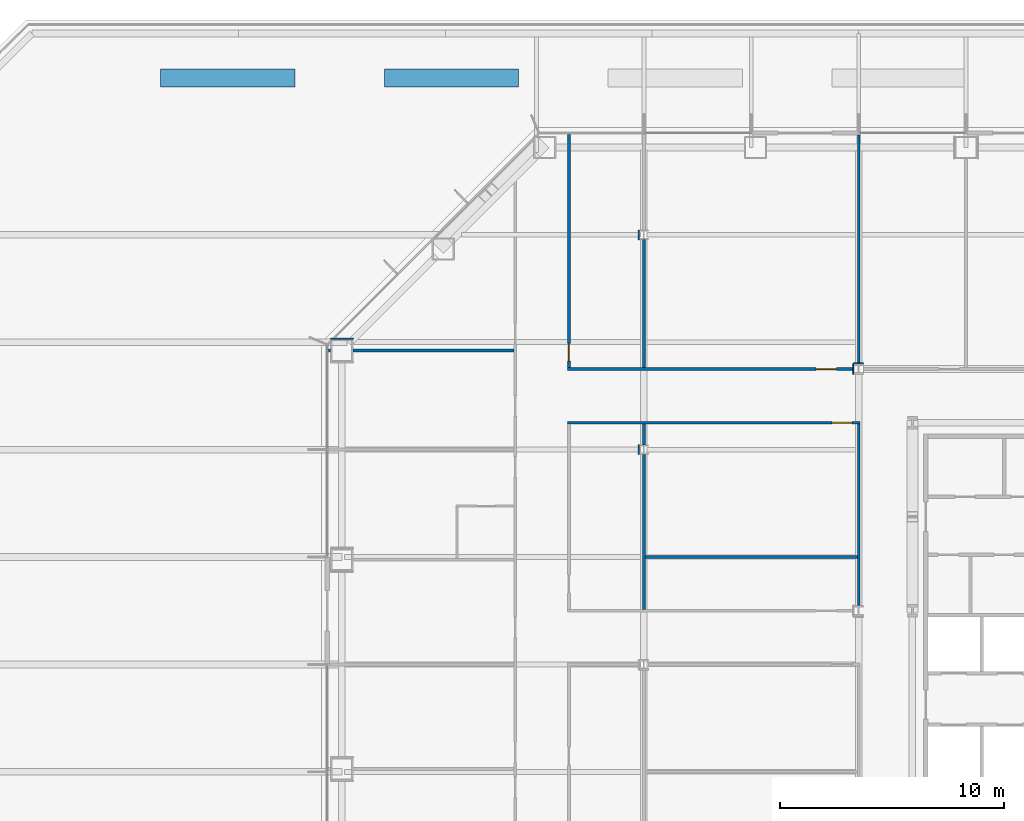
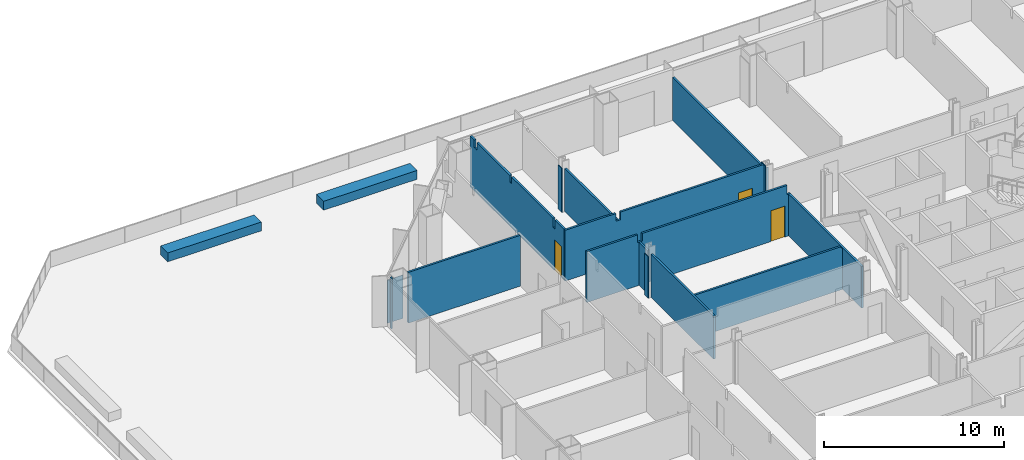
# One storey, part 13 of 18: 18 walls, 3 doors, 3 openings.
"""IFC4 building model written with IfcOpenShell, lengths in metres."""

from ifc_helpers import new_model, si_unit, direction, frame, frame_2d, origin, place, context, subcontext, project, spatial, polyline, rectangle, outline, extrude, material, layer, layer_set, type_object, element, fill, save


model = new_model("IFC4")

# Units and contexts
model_context = context("Model", 3, precision=1e-05, world=origin(), true_north=direction((0.0, 1.0)))
body_context = subcontext(model_context, "Body", "Model", "MODEL_VIEW")
ifc_project = project(units=[si_unit("LENGTHUNIT", "METRE"), si_unit("AREAUNIT", "SQUARE_METRE"), si_unit("VOLUMEUNIT", "CUBIC_METRE"), si_unit("PLANEANGLEUNIT", "RADIAN"), si_unit("MASSUNIT", "GRAM", prefix="KILO")], contexts=[model_context])

# Site, building, storey
site_placement = place(None, origin())
site = spatial("IfcSite", under=ifc_project, at=site_placement, CompositionType="ELEMENT")
building_placement = place(site_placement, origin())
building = spatial("IfcBuilding", under=site, at=building_placement, Name="Cairn Pilgrim Tower", CompositionType="ELEMENT")
storey_placement = place(building_placement, frame((0.0, 0.0, 40.199951171875)))
storey = spatial("IfcBuildingStorey", under=building, at=storey_placement, Name="L07", CompositionType="ELEMENT", Elevation=40.199951171875)

# Walls
ifc_material_1 = material(Name="Gypsum partition")
ifc_layer_1 = layer(ifc_material_1, 0.125)
ifc_layer_set_1 = layer_set([ifc_layer_1], Name="PARTITION 125 DRYWALL EI 60")
wall_type_1 = type_object("IfcWallType", Name="PARTITION 125 DRYWALL EI 60", PredefinedType="PARTITIONING", material=ifc_layer_set_1)
wall_1_placement = place(storey_placement, frame((-14.39990234375, 2.46240234375, 0.0), z_axis=(0.0, 0.0, 1.0), x_axis=(0.0, 1.0, 0.0)))
element("IfcWall", 1, at=wall_1_placement, inside=storey, type_object=wall_type_1, Name="PARTITION W061", PredefinedType="PARTITIONING", context=body_context, shape_type="SweptSolid", body=[
    extrude(rectangle(XDim=6.925048828125, YDim=0.125, at=frame_2d((3.46240234375, 0.0))), origin(), (0.0, 0.0, 1.0), 2.929931640625),
])
wall_2_placement = place(storey_placement, frame((-4.800048828125, 2.636962890625, 0.0), z_axis=(0.0, 0.0, 1.0), x_axis=(0.0, 1.0, 0.0)))
element("IfcWall", 2, at=wall_2_placement, inside=storey, type_object=wall_type_1, Name="PARTITION W062", PredefinedType="PARTITIONING", context=body_context, shape_type="SweptSolid", body=[
    extrude(rectangle(XDim=8.1005859375, YDim=0.125, at=frame_2d((4.05029296875, 0.0))), origin(), (0.0, 0.0, 1.0), 2.830078125),
])
wall_3_placement = place(storey_placement, frame((-14.33740234375, 4.800048828125, 0.0), z_axis=(0.0, 0.0, 1.0), x_axis=(1.0, 0.0, 0.0)))
element("IfcWall", 3, at=wall_3_placement, inside=storey, type_object=wall_type_1, Name="PARTITION W067", PredefinedType="PARTITIONING", context=body_context, shape_type="SweptSolid", body=[
    extrude(outline(polyline([(0.0, 0.0), (9.474853515625, 0.0), (9.47509765625, 2.830078125), (9.387451171875, 2.830078125), (9.385498046875, 2.929931640625), (0.0, 2.929931640625), (0.0, 0.0)])), frame((0.0, 0.0625, 0.0), z_axis=(0.0, -1.0, 0.0), x_axis=(1.0, 0.0, 0.0)), (0.0, 0.0, 1.0), 0.125),
])
wall_4_placement = place(storey_placement, frame((-14.39990234375, 9.8125, 0.0), z_axis=(0.0, 0.0, 1.0), x_axis=(0.0, 1.0, 0.0)))
element("IfcWall", 4, at=wall_4_placement, inside=storey, type_object=wall_type_1, Name="PARTITION W073", PredefinedType="PARTITIONING", context=body_context, shape_type="SweptSolid", body=[
    extrude(rectangle(XDim=0.925048828125, YDim=0.125, at=frame_2d((0.46240234375, 0.0))), origin(), (0.0, 0.0, 1.0), 2.929931640625),
])

# Wall, opening, door
wall_5_placement = place(storey_placement, frame((-17.8125, 10.800048828125, 0.0), z_axis=(0.0, 0.0, 1.0), x_axis=(1.0, 0.0, 0.0)))
wall_5 = element("IfcWall", 5, at=wall_5_placement, inside=storey, type_object=wall_type_1, Name="PARTITION W074", PredefinedType="PARTITIONING", context=body_context, shape_type="SweptSolid", body=[
    extrude(outline(polyline([(0.0, 0.0), (13.074951171875, 0.0), (13.074951171875, 2.830078125), (12.862548828125, 2.830078125), (12.860595703125, 3.449951171875), (3.5625, 3.449951171875), (3.560546875, 2.929931640625), (3.262451171875, 2.929931640625), (3.260498046875, 3.449951171875), (0.0, 3.449951171875), (0.0, 0.0)])), frame((0.0, 0.0625, 0.0), z_axis=(0.0, -1.0, 0.0), x_axis=(1.0, 0.0, 0.0)), (0.0, 0.0, 1.0), 0.125),
])
opening_1_placement = place(wall_5_placement, frame((11.8125, 0.0, 0.0)))
opening_1 = element("IfcOpeningElement", 6, at=opening_1_placement, cuts=wall_5, Name="Opening 0731", PredefinedType="OPENING", context=body_context, shape_type="SweptSolid", body=[
    extrude(rectangle(XDim=0.89990234375, YDim=2.10009765625, at=frame_2d((0.449951171875, 1.050048828125))), frame((0.0, 0.072509765625, 0.0), z_axis=(0.0, -1.0, 0.0), x_axis=(1.0, 0.0, 0.0)), (0.0, 0.0, 1.0), 0.14501953125),
])
ifc_material_2 = material(Name="Steel-faced fire door leaf", Category="steel")
door_type_1 = type_object("IfcDoorType", Name="FIRE DOOR 900x2100 FD30S", OperationType="NOTDEFINED", PredefinedType="DOOR", material=ifc_material_2)
door_1_placement = place(opening_1_placement, frame((0.89990234375, 0.0, 0.0), z_axis=(0.0, 0.0, 1.0), x_axis=(-1.0, 0.0, 0.0)))
door_1 = element("IfcDoor", 7, at=door_1_placement, inside=storey, type_object=door_type_1, Name="DOOR 0731", OperationType="SINGLE_SWING_RIGHT", OverallHeight=2.10009765625, OverallWidth=0.89990234375, PredefinedType="DOOR", context=body_context, shape_type="SweptSolid", body=[
    extrude(rectangle(XDim=0.89990234375, YDim=2.10009765625, at=frame_2d((0.449951171875, 1.050048828125))), frame((0.0, 0.02490234375, 0.0), z_axis=(0.0, -1.0, 0.0), x_axis=(1.0, 0.0, 0.0)), (0.0, 0.0, 1.0), 0.050048828125),
])
fill(opening_1, door_1)

wall_6_placement = place(storey_placement, frame((-17.8125, 13.199951171875, 0.0), z_axis=(0.0, 0.0, 1.0), x_axis=(1.0, 0.0, 0.0)))
wall_6 = element("IfcWall", 8, at=wall_6_placement, inside=storey, type_object=wall_type_1, Name="PARTITION W075", PredefinedType="PARTITIONING", context=body_context, shape_type="SweptSolid", body=[
    extrude(outline(polyline([(0.0, 0.0), (12.800537109375, 0.0), (12.800537109375, 3.449951171875), (3.5625, 3.449951171875), (3.560546875, 2.929931640625), (3.262451171875, 2.929931640625), (3.260498046875, 3.449951171875), (0.0, 3.449951171875), (0.0, 0.0)])), frame((0.0, 0.0625, 0.0), z_axis=(0.0, -1.0, 0.0), x_axis=(1.0, 0.0, 0.0)), (0.0, 0.0, 1.0), 0.125),
])
opening_2_placement = place(wall_6_placement, frame((11.112548828125, 0.0, 0.0)))
opening_2 = element("IfcOpeningElement", 9, at=opening_2_placement, cuts=wall_6, Name="Opening 0716", PredefinedType="OPENING", context=body_context, shape_type="SweptSolid", body=[
    extrude(rectangle(XDim=0.89990234375, YDim=2.10009765625, at=frame_2d((0.449951171875, 1.050048828125))), frame((0.0, 0.072509765625, 0.0), z_axis=(0.0, -1.0, 0.0), x_axis=(1.0, 0.0, 0.0)), (0.0, 0.0, 1.0), 0.14501953125),
])
door_2_placement = place(opening_2_placement, origin())
door_2 = element("IfcDoor", 10, at=door_2_placement, inside=storey, type_object=door_type_1, Name="DOOR 0716", OperationType="SINGLE_SWING_LEFT", OverallHeight=2.10009765625, OverallWidth=0.89990234375, PredefinedType="DOOR", context=body_context, shape_type="SweptSolid", body=[
    extrude(rectangle(XDim=0.89990234375, YDim=2.10009765625, at=frame_2d((0.449951171875, 1.050048828125))), frame((0.0, 0.02490234375, 0.0), z_axis=(0.0, -1.0, 0.0), x_axis=(1.0, 0.0, 0.0)), (0.0, 0.0, 1.0), 0.050048828125),
])
fill(opening_2, door_2)

wall_7_placement = place(storey_placement, frame((-17.75, 13.262451171875, 0.0), z_axis=(0.0, 0.0, 1.0), x_axis=(0.0, 1.0, 0.0)))
wall_7 = element("IfcWall", 11, at=wall_7_placement, inside=storey, type_object=wall_type_1, Name="PARTITION W078", PredefinedType="PARTITIONING", context=body_context, shape_type="SweptSolid", body=[
    extrude(outline(polyline([(0.0, 0.0), (10.427490234375, 0.0), (10.427490234375, 3.449951171875), (9.987548828125, 3.449951171875), (9.985595703125, 2.929931640625), (9.6875, 2.929931640625), (9.685546875, 3.449951171875), (6.032470703125, 3.449951171875), (6.030517578125, 2.97998046875), (5.842529296875, 2.97998046875), (5.840576171875, 3.449951171875), (1.24755859375, 3.449951171875), (1.24560546875, 2.830078125), (1.027587890625, 2.830078125), (1.025390625, 3.449951171875), (0.0, 3.449951171875), (0.0, 0.0)])), frame((0.0, 0.0625, 0.0), z_axis=(0.0, -1.0, 0.0), x_axis=(1.0, 0.0, 0.0)), (0.0, 0.0, 1.0), 0.125),
])
opening_3_placement = place(wall_7_placement, frame((0.28759765625, 0.0, 0.0)))
opening_3 = element("IfcOpeningElement", 12, at=opening_3_placement, cuts=wall_7, Name="Opening 0715", PredefinedType="OPENING", context=body_context, shape_type="SweptSolid", body=[
    extrude(rectangle(XDim=0.800048828125, YDim=2.10009765625, at=frame_2d((0.39990234375, 1.050048828125))), frame((0.0, 0.072509765625, 0.0), z_axis=(0.0, -1.0, 0.0), x_axis=(1.0, 0.0, 0.0)), (0.0, 0.0, 1.0), 0.14501953125),
])
door_type_2 = type_object("IfcDoorType", Name="FIRE DOOR 800x2100 FD30S", OperationType="NOTDEFINED", PredefinedType="DOOR", material=ifc_material_2)
door_3_placement = place(opening_3_placement, frame((0.800048828125, 0.0, 0.0), z_axis=(0.0, 0.0, 1.0), x_axis=(-1.0, 0.0, 0.0)))
door_3 = element("IfcDoor", 13, at=door_3_placement, inside=storey, type_object=door_type_2, Name="DOOR 0715", OperationType="SINGLE_SWING_RIGHT", OverallHeight=2.10009765625, OverallWidth=0.800048828125, PredefinedType="DOOR", context=body_context, shape_type="SweptSolid", body=[
    extrude(rectangle(XDim=0.800048828125, YDim=2.10009765625, at=frame_2d((0.39990234375, 1.050048828125))), frame((0.0, 0.02490234375, 0.0), z_axis=(0.0, -1.0, 0.0), x_axis=(1.0, 0.0, 0.0)), (0.0, 0.0, 1.0), 0.050048828125),
])
fill(opening_3, door_3)

# Walls
wall_8_placement = place(storey_placement, frame((-14.39990234375, 13.262451171875, 0.0), z_axis=(0.0, 0.0, 1.0), x_axis=(0.0, 1.0, 0.0)))
element("IfcWall", 14, at=wall_8_placement, inside=storey, type_object=wall_type_1, Name="PARTITION W079", PredefinedType="PARTITIONING", context=body_context, shape_type="SweptSolid", body=[
    extrude(rectangle(XDim=5.72509765625, YDim=0.125, at=frame_2d((2.862548828125, 0.0))), origin(), (0.0, 0.0, 1.0), 2.929931640625),
])
wall_9_placement = place(storey_placement, frame((-4.800048828125, 13.43701171875, 0.0), z_axis=(0.0, 0.0, 1.0), x_axis=(0.0, 1.0, 0.0)))
element("IfcWall", 15, at=wall_9_placement, inside=storey, type_object=wall_type_1, Name="PARTITION W083", PredefinedType="PARTITIONING", context=body_context, shape_type="SweptSolid", body=[
    extrude(rectangle(XDim=10.212890625, YDim=0.125, at=frame_2d((5.1064453125, 0.0))), origin(), (0.0, 0.0, 1.0), 2.929931640625),
])
wall_10_placement = place(storey_placement, frame((-28.5029296875, 14.027099609375, 0.0), z_axis=(0.0, 0.0, 1.0), x_axis=(1.0, 0.0, 0.0)))
element("IfcWall", 16, at=wall_10_placement, inside=storey, type_object=wall_type_1, Name="PARTITION W085", PredefinedType="PARTITIONING", context=body_context, shape_type="SweptSolid", body=[
    extrude(rectangle(XDim=0.10302734375, YDim=0.125, at=frame_2d((0.051513671875, 0.0))), origin(), (0.0, 0.0, 1.0), 3.449951171875),
])
wall_11_placement = place(storey_placement, frame((-27.39990234375, 14.027099609375, 0.0), z_axis=(0.0, 0.0, 1.0), x_axis=(1.0, 0.0, 0.0)))
element("IfcWall", 17, at=wall_11_placement, inside=storey, type_object=wall_type_1, Name="PARTITION W086", PredefinedType="PARTITIONING", context=body_context, shape_type="SweptSolid", body=[
    extrude(rectangle(XDim=7.1875, YDim=0.125, at=frame_2d((3.59375, 0.0))), origin(), (0.0, 0.0, 1.0), 3.449951171875),
])
ifc_layer_2 = layer(ifc_material_1, 0.050048828125)
ifc_layer_set_2 = layer_set([ifc_layer_2], Name="PARTITION 50 DRYWALL EI 60")
wall_type_2 = type_object("IfcWallType", Name="PARTITION 50 DRYWALL EI 60", PredefinedType="PARTITIONING", material=ifc_layer_set_2)
wall_12_placement = place(storey_placement, frame((-14.62939453125, 9.387451171875, 0.0), z_axis=(0.0, 0.0, 1.0), x_axis=(0.0, 1.0, 0.0)))
element("IfcWall", 18, at=wall_12_placement, inside=storey, type_object=wall_type_2, Name="COLUMN CASING WC25", PredefinedType="PARTITIONING", context=body_context, shape_type="SweptSolid", body=[
    extrude(rectangle(XDim=0.425048828125, YDim=0.050048828125, at=frame_2d((0.21240234375, 0.0))), origin(), (0.0, 0.0, 1.0), 2.830078125),
])
wall_13_placement = place(storey_placement, frame((-5.011962890625, 13.4619140625, 0.0), z_axis=(0.0, 0.0, 1.0), x_axis=(1.0, 0.0, 0.0)))
element("IfcWall", 19, at=wall_13_placement, inside=storey, type_object=wall_type_2, Name="COLUMN CASING WC31", PredefinedType="PARTITIONING", context=body_context, shape_type="SweptSolid", body=[
    extrude(rectangle(XDim=0.424072265625, YDim=0.050048828125, at=frame_2d((0.2119140625, 0.0))), origin(), (0.0, 0.0, 1.0), 2.929931640625),
])
wall_14_placement = place(storey_placement, frame((-14.62939453125, 18.987548828125, 0.0), z_axis=(0.0, 0.0, 1.0), x_axis=(0.0, 1.0, 0.0)))
element("IfcWall", 20, at=wall_14_placement, inside=storey, type_object=wall_type_2, Name="COLUMN CASING WC35", PredefinedType="PARTITIONING", context=body_context, shape_type="SweptSolid", body=[
    extrude(rectangle(XDim=0.425048828125, YDim=0.050048828125, at=frame_2d((0.21240234375, 0.0))), origin(), (0.0, 0.0, 1.0), 2.97998046875),
])
wall_15_placement = place(storey_placement, frame((-5.037109375, 12.962890625, 0.0), z_axis=(0.0, 0.0, 1.0), x_axis=(0.0, 1.0, 0.0)))
element("IfcWall", 21, at=wall_15_placement, inside=storey, type_object=wall_type_2, Name="COLUMN CASING WC36", PredefinedType="PARTITIONING", context=body_context, shape_type="SweptSolid", body=[
    extrude(rectangle(XDim=0.47412109375, YDim=0.050048828125, at=frame_2d((0.237060546875, 0.0))), origin(), (0.0, 0.0, 1.0), 3.449951171875),
])
wall_16_placement = place(storey_placement, frame((-28.39990234375, 14.55224609375, 0.0), z_axis=(0.0, 0.0, 1.0), x_axis=(1.0, 0.0, 0.0)))
element("IfcWall", 22, at=wall_16_placement, inside=storey, type_object=wall_type_2, Name="COLUMN CASING WC41", PredefinedType="PARTITIONING", context=body_context, shape_type="SweptSolid", body=[
    extrude(rectangle(XDim=1.0, YDim=0.050048828125, at=frame_2d((0.5, 0.0))), origin(), (0.0, 0.0, 1.0), 2.929931640625),
])
ifc_material_3 = material(Name="Concrete C35/45", Category="concrete")
ifc_layer_3 = layer(ifc_material_3, 0.800048828125)
ifc_layer_set_3 = layer_set([ifc_layer_3], Name="PLANTER TROUGH WALL 800 CONCRETE C35/45")
wall_type_3 = type_object("IfcWallType", Name="PLANTER TROUGH WALL 800 CONCRETE C35/45", PredefinedType="NOTDEFINED", material=ifc_layer_set_3)
for number, where, z_axis, x_axis, name in (
    (23, (-36.0, 26.199951171875, 0.0), (0.0, 0.0, 1.0), (1.0, 0.0, 0.0), "PLANTER"),
    (24, (-26.0, 26.199951171875, 0.0), (0.0, 0.0, 1.0), (1.0, 0.0, 0.0), "PLANTER"),
):
    element("IfcWall", number, at=place(storey_placement, frame(where, z_axis=z_axis, x_axis=x_axis)), inside=storey, type_object=wall_type_3, Name=name, PredefinedType="NOTDEFINED", context=body_context, shape_type="SweptSolid", body=[
        extrude(rectangle(XDim=6.0, YDim=0.800048828125, at=frame_2d((3.0, 0.0))), origin(), (0.0, 0.0, 1.0), 0.60009765625),
    ])

save(model, "model.ifc")
